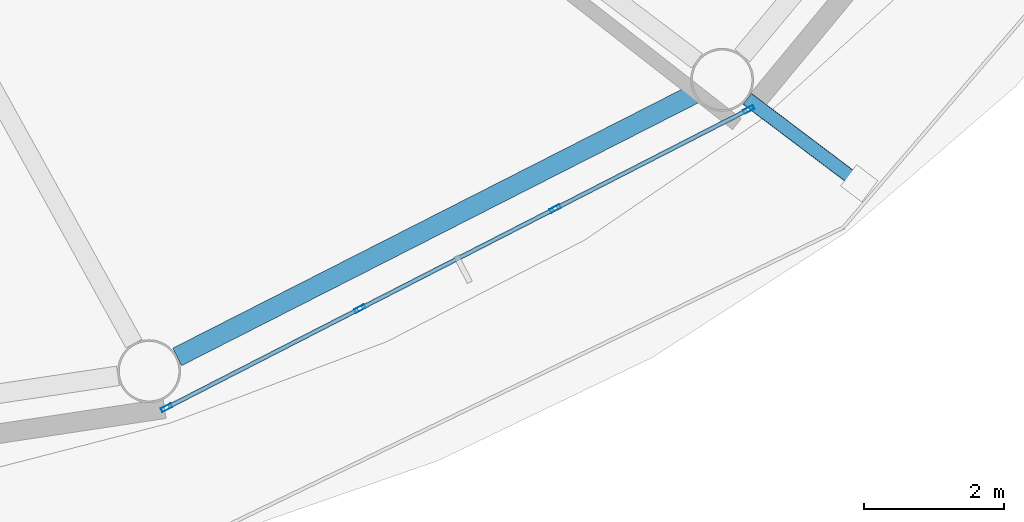
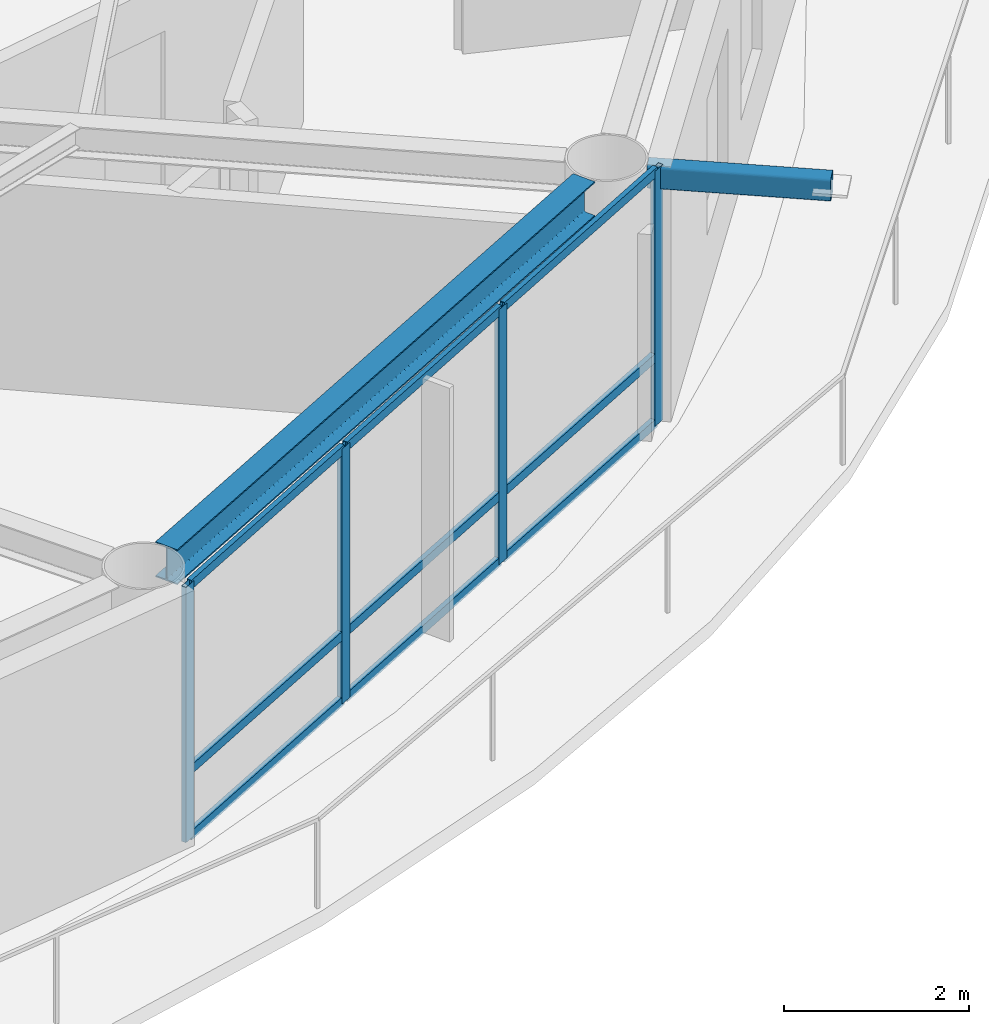
# One storey, part 5 of 22: 14 members, 1 beam, 1 element without a shape of its own.
"""IFC4 building model written with IfcOpenShell, lengths in metres."""

from ifc_helpers import new_model, si_unit, direction, frame, origin, origin_2d, place, context, subcontext, project, spatial, hollow_rectangle, i_section, extrude, material, layer, layer_set, material_profile, profile_set, type_object, element, aggregate, save


model = new_model("IFC4")

# Units and contexts
model_context = context("Model", 3, precision=1e-05, world=origin(), true_north=direction((0.0, 1.0)))
body_context = subcontext(model_context, "Body", "Model", "MODEL_VIEW")
ifc_project = project(units=[si_unit("LENGTHUNIT", "METRE"), si_unit("AREAUNIT", "SQUARE_METRE"), si_unit("VOLUMEUNIT", "CUBIC_METRE"), si_unit("PLANEANGLEUNIT", "RADIAN"), si_unit("MASSUNIT", "GRAM", prefix="KILO")], contexts=[model_context])

# Site, building, storey
site_placement = place(None, origin())
site = spatial("IfcSite", under=ifc_project, at=site_placement, CompositionType="ELEMENT")
building_placement = place(site_placement, origin())
building = spatial("IfcBuilding", under=site, at=building_placement, Name="Sarneth Arch Tower", CompositionType="ELEMENT")
storey_placement = place(building_placement, frame((0.0, 0.0, 301.800048828125)))
storey = spatial("IfcBuildingStorey", under=building, at=storey_placement, Name="L78", CompositionType="ELEMENT", Elevation=301.800048828125)

# Beam
ifc_material_1 = material(Name="Steel S355", Category="steel")
ifc_material_profile_1 = material_profile(ifc_material_1, i_section(OverallWidth=0.280029296875, OverallDepth=0.462890625, WebThickness=0.0107421875, FlangeThickness=0.017333984375, FilletRadius=0.01806640625, at=origin_2d()), Name="W460x113")
ifc_profile_set_1 = profile_set([ifc_material_profile_1], Name="Steel S355")
beam_type = type_object("IfcBeamType", Name="BM-RAD-460A", PredefinedType="BEAM", material=ifc_profile_set_1)
beam_placement = place(storey_placement, frame((58.19189453125, 24.465576171875, 3.138427734375), z_axis=(0.891376248079, 0.453264144138, 0.0), x_axis=(-0.453264144138, 0.891376248079, 0.0)))
element("IfcBeam", 1, at=beam_placement, inside=storey, type_object=beam_type, Name="L78 Perimeter spandrel beam 14", PredefinedType="BEAM", context=body_context, shape_type="SweptSolid", body=[
    extrude(i_section(OverallWidth=0.280029296875, OverallDepth=0.462890625, WebThickness=0.0107421875, FlangeThickness=0.017333984375, FilletRadius=0.01806640625, at=origin_2d()), origin(), (0.0, 0.0, 1.0), 8.281982421875),
])

# Curtain wall, members
ifc_material_2 = material(Name="Anodised aluminium Type AA25 and solar-control low-e laminated IGU", Category="aluminium")
ifc_layer = layer(ifc_material_2, 0.179931640625)
ifc_layer_set = layer_set([ifc_layer], Name="Anodised aluminium Type AA25 and solar-control low-e laminated IGU")
curtain_wall_type = type_object("IfcCurtainWallType", Name="CW-RES-HIGH", PredefinedType="NOTDEFINED", material=ifc_layer_set)
curtain_wall_placement = place(storey_placement, origin())
curtain_wall = element("IfcCurtainWall", 2, at=curtain_wall_placement, inside=storey, type_object=curtain_wall_type, Name="L78 Unitised curtain wall facet 14", PredefinedType="NOTDEFINED")
ifc_material_3 = material(Name="Anodised Aluminium 6063-T6", Category="aluminium")
ifc_material_profile_2 = material_profile(ifc_material_3, hollow_rectangle(XDim=0.06005859375, YDim=0.159912109375, WallThickness=0.00390625, at=origin_2d()), Name="AL-MULL-160x60x4")
ifc_profile_set_2 = profile_set([ifc_material_profile_2], Name="Anodised Aluminium 6063-T6")
member_type_1 = type_object("IfcMemberType", Name="CW-MULLION", PredefinedType="MULLION", material=ifc_profile_set_2)
member_1_placement = place(storey_placement, frame((58.039306640625, 23.7392578125, 0.0), z_axis=(0.0, 0.0, 1.0), x_axis=(-0.455941901753, 0.890009540525, 0.0)))
member_1 = element("IfcMember", 3, at=member_1_placement, type_object=member_type_1, Name="CW-SYS-6 mullion 1", PredefinedType="MULLION", context=body_context, shape_type="SweptSolid", body=[
    extrude(hollow_rectangle(XDim=0.06005859375, YDim=0.159912109375, WallThickness=0.00390625, at=origin_2d()), origin(), (0.0, 0.0, 1.0), 3.369873046875),
])
member_2_placement = place(storey_placement, frame((60.802490234375, 25.155029296875, 0.0), z_axis=(0.0, 0.0, 1.0), x_axis=(-0.455941901753, 0.890009540525, 0.0)))
member_2 = element("IfcMember", 4, at=member_2_placement, type_object=member_type_1, Name="CW-SYS-6 mullion 2", PredefinedType="MULLION", context=body_context, shape_type="SweptSolid", body=[
    extrude(hollow_rectangle(XDim=0.06005859375, YDim=0.159912109375, WallThickness=0.00390625, at=origin_2d()), origin(), (0.0, 0.0, 1.0), 3.369873046875),
])
member_3_placement = place(storey_placement, frame((63.592529296875, 26.584228515625, 0.0), z_axis=(0.0, 0.0, 1.0), x_axis=(-0.455941901753, 0.890009540525, 0.0)))
member_3 = element("IfcMember", 5, at=member_3_placement, type_object=member_type_1, Name="CW-SYS-6 mullion 3", PredefinedType="MULLION", context=body_context, shape_type="SweptSolid", body=[
    extrude(hollow_rectangle(XDim=0.06005859375, YDim=0.159912109375, WallThickness=0.00390625, at=origin_2d()), origin(), (0.0, 0.0, 1.0), 3.369873046875),
])
member_4_placement = place(storey_placement, frame((66.355712890625, 27.999755859375, 0.0), z_axis=(0.0, 0.0, 1.0), x_axis=(-0.455941901753, 0.890009540525, 0.0)))
member_4 = element("IfcMember", 6, at=member_4_placement, type_object=member_type_1, Name="CW-SYS-6 mullion 4", PredefinedType="MULLION", context=body_context, shape_type="SweptSolid", body=[
    extrude(hollow_rectangle(XDim=0.06005859375, YDim=0.159912109375, WallThickness=0.00390625, at=origin_2d()), origin(), (0.0, 0.0, 1.0), 3.369873046875),
])
ifc_material_4 = material(Name="Anodised Aluminium 6063-T6", Category="aluminium")
ifc_material_profile_3 = material_profile(ifc_material_4, hollow_rectangle(XDim=0.06005859375, YDim=0.1201171875, WallThickness=0.00390625, at=origin_2d()), Name="AL-TRAN-120x60x4")
ifc_profile_set_3 = profile_set([ifc_material_profile_3], Name="Anodised Aluminium 6063-T6")
member_type_2 = type_object("IfcMemberType", Name="CW-TRANSOM", PredefinedType="USERDEFINED", material=ifc_profile_set_3)
member_5_placement = place(storey_placement, frame((58.066162109375, 23.7529296875, 0.030029296875), z_axis=(0.889973523166, 0.456012201662, 0.0), x_axis=(-0.456012201662, 0.889973523166, 0.0)))
member_5 = element("IfcMember", 7, at=member_5_placement, type_object=member_type_2, Name="CW-SYS-6 transom 1.1", ObjectType="TRANSOM", PredefinedType="USERDEFINED", context=body_context, shape_type="SweptSolid", body=[
    extrude(hollow_rectangle(XDim=0.06005859375, YDim=0.1201171875, WallThickness=0.00390625, at=origin_2d()), origin(), (0.0, 0.0, 1.0), 3.044677734375),
])
member_6_placement = place(storey_placement, frame((58.066162109375, 23.7529296875, 0.89990234375), z_axis=(0.889973523166, 0.456012201662, 0.0), x_axis=(-0.456012201662, 0.889973523166, 0.0)))
member_6 = element("IfcMember", 8, at=member_6_placement, type_object=member_type_2, Name="CW-SYS-6 transom 1.2", ObjectType="TRANSOM", PredefinedType="USERDEFINED", context=body_context, shape_type="SweptSolid", body=[
    extrude(hollow_rectangle(XDim=0.06005859375, YDim=0.1201171875, WallThickness=0.00390625, at=origin_2d()), origin(), (0.0, 0.0, 1.0), 3.044677734375),
])
member_7_placement = place(storey_placement, frame((58.066162109375, 23.7529296875, 3.33984375), z_axis=(0.889973523166, 0.456012201662, 0.0), x_axis=(-0.456012201662, 0.889973523166, 0.0)))
member_7 = element("IfcMember", 9, at=member_7_placement, type_object=member_type_2, Name="CW-SYS-6 transom 1.3", ObjectType="TRANSOM", PredefinedType="USERDEFINED", context=body_context, shape_type="SweptSolid", body=[
    extrude(hollow_rectangle(XDim=0.06005859375, YDim=0.1201171875, WallThickness=0.00390625, at=origin_2d()), origin(), (0.0, 0.0, 1.0), 3.044677734375),
])
member_8_placement = place(storey_placement, frame((60.829345703125, 25.168701171875, 0.030029296875), z_axis=(0.890017432405, 0.455926496286, 0.0), x_axis=(-0.455926496286, 0.890017432405, 0.0)))
member_8 = element("IfcMember", 10, at=member_8_placement, type_object=member_type_2, Name="CW-SYS-6 transom 2.1", ObjectType="TRANSOM", PredefinedType="USERDEFINED", context=body_context, shape_type="SweptSolid", body=[
    extrude(hollow_rectangle(XDim=0.06005859375, YDim=0.1201171875, WallThickness=0.00390625, at=origin_2d()), origin(), (0.0, 0.0, 1.0), 3.07470703125),
])
member_9_placement = place(storey_placement, frame((60.829345703125, 25.168701171875, 0.89990234375), z_axis=(0.890017432405, 0.455926496286, 0.0), x_axis=(-0.455926496286, 0.890017432405, 0.0)))
member_9 = element("IfcMember", 11, at=member_9_placement, type_object=member_type_2, Name="CW-SYS-6 transom 2.2", ObjectType="TRANSOM", PredefinedType="USERDEFINED", context=body_context, shape_type="SweptSolid", body=[
    extrude(hollow_rectangle(XDim=0.06005859375, YDim=0.1201171875, WallThickness=0.00390625, at=origin_2d()), origin(), (0.0, 0.0, 1.0), 3.07470703125),
])
member_10_placement = place(storey_placement, frame((60.829345703125, 25.168701171875, 3.33984375), z_axis=(0.890017432405, 0.455926496286, 0.0), x_axis=(-0.455926496286, 0.890017432405, 0.0)))
member_10 = element("IfcMember", 12, at=member_10_placement, type_object=member_type_2, Name="CW-SYS-6 transom 2.3", ObjectType="TRANSOM", PredefinedType="USERDEFINED", context=body_context, shape_type="SweptSolid", body=[
    extrude(hollow_rectangle(XDim=0.06005859375, YDim=0.1201171875, WallThickness=0.00390625, at=origin_2d()), origin(), (0.0, 0.0, 1.0), 3.07470703125),
])
member_11_placement = place(storey_placement, frame((63.619140625, 26.597900390625, 0.030029296875), z_axis=(0.890022732705, 0.455916149384, 0.0), x_axis=(-0.455916149384, 0.890022732705, 0.0)))
member_11 = element("IfcMember", 13, at=member_11_placement, type_object=member_type_2, Name="CW-SYS-6 transom 3.1", ObjectType="TRANSOM", PredefinedType="USERDEFINED", context=body_context, shape_type="SweptSolid", body=[
    extrude(hollow_rectangle(XDim=0.06005859375, YDim=0.1201171875, WallThickness=0.00390625, at=origin_2d()), origin(), (0.0, 0.0, 1.0), 3.044921875),
])
member_12_placement = place(storey_placement, frame((63.619140625, 26.597900390625, 0.89990234375), z_axis=(0.890022732705, 0.455916149384, 0.0), x_axis=(-0.455916149384, 0.890022732705, 0.0)))
member_12 = element("IfcMember", 14, at=member_12_placement, type_object=member_type_2, Name="CW-SYS-6 transom 3.2", ObjectType="TRANSOM", PredefinedType="USERDEFINED", context=body_context, shape_type="SweptSolid", body=[
    extrude(hollow_rectangle(XDim=0.06005859375, YDim=0.1201171875, WallThickness=0.00390625, at=origin_2d()), origin(), (0.0, 0.0, 1.0), 3.044921875),
])
member_13_placement = place(storey_placement, frame((63.619140625, 26.597900390625, 3.33984375), z_axis=(0.890022732705, 0.455916149384, 0.0), x_axis=(-0.455916149384, 0.890022732705, 0.0)))
member_13 = element("IfcMember", 15, at=member_13_placement, type_object=member_type_2, Name="CW-SYS-6 transom 3.3", ObjectType="TRANSOM", PredefinedType="USERDEFINED", context=body_context, shape_type="SweptSolid", body=[
    extrude(hollow_rectangle(XDim=0.06005859375, YDim=0.1201171875, WallThickness=0.00390625, at=origin_2d()), origin(), (0.0, 0.0, 1.0), 3.044921875),
])
aggregate(curtain_wall, [member_1, member_2, member_3, member_4, member_5, member_6, member_7, member_8, member_9, member_10, member_11, member_12, member_13])

# Member
ifc_material_5 = material(Name="Steel S355", Category="steel")
ifc_material_profile_4 = material_profile(ifc_material_5, hollow_rectangle(XDim=0.199951171875, YDim=0.300048828125, WallThickness=0.012451171875, InnerFilletRadius=0.018798828125, OuterFilletRadius=0.03125, at=origin_2d()), Name="RHS300x200x12.5")
ifc_profile_set_4 = profile_set([ifc_material_profile_4], Name="Steel S355")
member_type_3 = type_object("IfcMemberType", Name="MEM-CANT-STRUT", PredefinedType="STRUT", material=ifc_profile_set_4)
member_14_placement = place(storey_placement, frame((66.334228515625, 28.15234375, 3.2099609375), z_axis=(0.798022239728, -0.602627998769, 0.0), x_axis=(0.602627998769, 0.798022239728, 0.0)))
element("IfcMember", 16, at=member_14_placement, inside=storey, type_object=member_type_3, Name="L78 Balcony cantilever bracket 15", PredefinedType="STRUT", context=body_context, shape_type="SweptSolid", body=[
    extrude(hollow_rectangle(XDim=0.199951171875, YDim=0.300048828125, WallThickness=0.012451171875, InnerFilletRadius=0.018798828125, OuterFilletRadius=0.03125, at=origin_2d()), origin(), (0.0, 0.0, 1.0), 2.004150390625),
])

save(model, "model.ifc")
